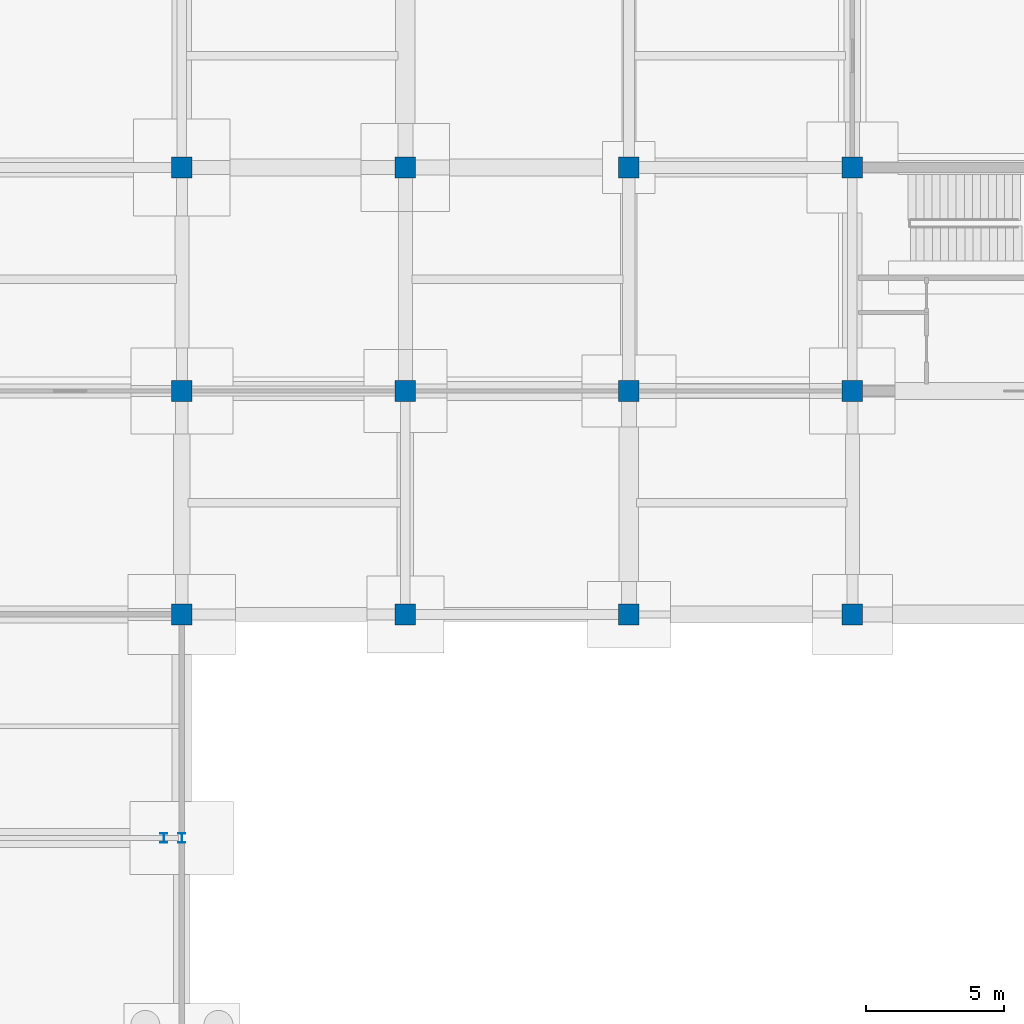
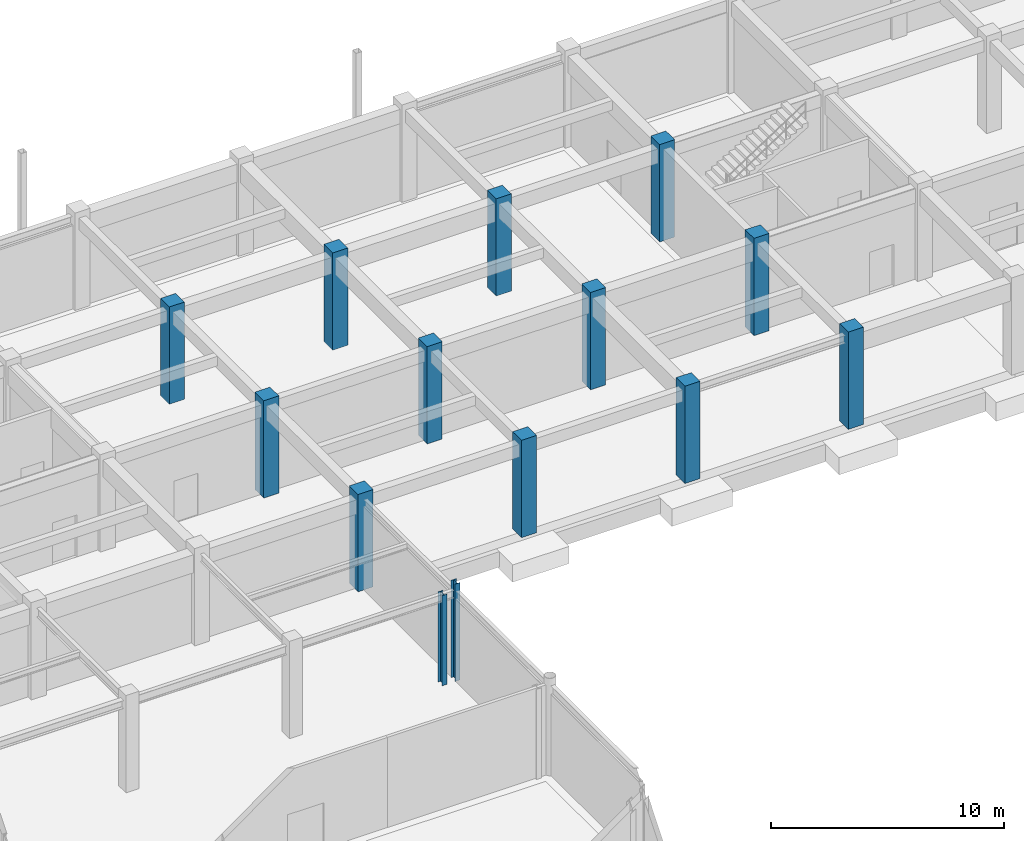
# One storey, part 21 of 67: 14 columns.
"""IFC4 building model written with IfcOpenShell, lengths in metres."""

from ifc_helpers import new_model, si_unit, direction, frame, origin, origin_2d, place, context, subcontext, project, spatial, rectangle, i_section, extrude, material, material_profile, profile_set, type_object, element, save


model = new_model("IFC4")

# Units and contexts
model_context = context("Model", 3, precision=1e-05, world=origin(), true_north=direction((0.0, 1.0)))
body_context = subcontext(model_context, "Body", "Model", "MODEL_VIEW")
ifc_project = project(units=[si_unit("LENGTHUNIT", "METRE"), si_unit("AREAUNIT", "SQUARE_METRE"), si_unit("VOLUMEUNIT", "CUBIC_METRE"), si_unit("PLANEANGLEUNIT", "RADIAN"), si_unit("MASSUNIT", "GRAM", prefix="KILO")], contexts=[model_context])

# Site, building, storey
site_placement = place(None, origin())
site = spatial("IfcSite", under=ifc_project, at=site_placement, CompositionType="ELEMENT")
building_placement = place(site_placement, origin())
building = spatial("IfcBuilding", under=site, at=building_placement, Name="Vaudrelin Polytechnic", CompositionType="ELEMENT")
storey_placement = place(building_placement, frame((0.0, 0.0, -5.10009765625)))
storey = spatial("IfcBuildingStorey", under=building, at=storey_placement, Name="B1", CompositionType="ELEMENT", Elevation=-5.10009765625)

# Columns
ifc_material_1 = material(Name="Concrete 50 MPa", Category="concrete")
ifc_material_profile_1 = material_profile(ifc_material_1, rectangle(XDim=0.75, YDim=0.75, at=origin_2d()), Name="RC750x750")
ifc_profile_set_1 = profile_set([ifc_material_profile_1], Name="Concrete 50 MPa")
column_type_1 = type_object("IfcColumnType", Name="COL-C-RC750", PredefinedType="COLUMN", material=ifc_profile_set_1)
for number, where, z_axis, x_axis, name in (
    (1, (32.39990234375, 97.199951171875, 0.0), (0.0, 0.0, 1.0), (1.0, 0.0, 0.0), "Column B1 5-13"),
    (2, (32.39990234375, 105.300048828125, 0.0), (0.0, 0.0, 1.0), (1.0, 0.0, 0.0), "Column B1 5-14"),
    (3, (32.39990234375, 113.39990234375, 0.0), (0.0, 0.0, 1.0), (1.0, 0.0, 0.0), "Column B1 5-15"),
    (4, (40.5, 97.199951171875, 0.0), (0.0, 0.0, 1.0), (1.0, 0.0, 0.0), "Column B1 6-13"),
    (5, (40.5, 105.300048828125, 0.0), (0.0, 0.0, 1.0), (1.0, 0.0, 0.0), "Column B1 6-14"),
    (6, (40.5, 113.39990234375, 0.0), (0.0, 0.0, 1.0), (1.0, 0.0, 0.0), "Column B1 6-15"),
    (7, (48.60009765625, 97.199951171875, 0.0), (0.0, 0.0, 1.0), (1.0, 0.0, 0.0), "Column B1 7-13"),
    (8, (48.60009765625, 105.300048828125, 0.0), (0.0, 0.0, 1.0), (1.0, 0.0, 0.0), "Column B1 7-14"),
    (9, (48.60009765625, 113.39990234375, 0.0), (0.0, 0.0, 1.0), (1.0, 0.0, 0.0), "Column B1 7-15"),
    (10, (56.699951171875, 97.199951171875, 0.0), (0.0, 0.0, 1.0), (1.0, 0.0, 0.0), "Column B1 8-13"),
    (11, (56.699951171875, 105.300048828125, 0.0), (0.0, 0.0, 1.0), (1.0, 0.0, 0.0), "Column B1 8-14"),
    (12, (56.699951171875, 113.39990234375, 0.0), (0.0, 0.0, 1.0), (1.0, 0.0, 0.0), "Column B1 8-15"),
):
    element("IfcColumn", number, at=place(storey_placement, frame(where, z_axis=z_axis, x_axis=x_axis)), inside=storey, type_object=column_type_1, Name=name, PredefinedType="COLUMN", context=body_context, shape_type="SweptSolid", body=[
        extrude(rectangle(XDim=0.75, YDim=0.75, at=origin_2d()), origin(), (0.0, 0.0, 1.0), 5.10009765625),
    ])
ifc_material_2 = material(Name="Steel CSA G40.21 350W", Category="steel")
ifc_material_profile_2 = material_profile(ifc_material_2, i_section(OverallWidth=0.25390625, OverallDepth=0.35302734375, WebThickness=0.009521484375, FlangeThickness=0.016357421875, FilletRadius=0.01611328125, at=origin_2d()), Name="W360x91")
ifc_profile_set_2 = profile_set([ifc_material_profile_2], Name="Steel CSA G40.21 350W")
column_type_2 = type_object("IfcColumnType", Name="COL-C-W360", PredefinedType="PILASTER", material=ifc_profile_set_2)
column_1_placement = place(storey_placement, frame((32.39990234375, 89.10009765625, 0.0), z_axis=(0.0, 0.0, 1.0), x_axis=(1.0, 0.0, 0.0)))
element("IfcColumn", 13, at=column_1_placement, inside=storey, type_object=column_type_2, Name="Column B1 5-12", PredefinedType="PILASTER", context=body_context, shape_type="SweptSolid", body=[
    extrude(i_section(OverallWidth=0.25390625, OverallDepth=0.35302734375, WebThickness=0.009521484375, FlangeThickness=0.016357421875, FilletRadius=0.01611328125, at=origin_2d()), origin(), (0.0, 0.0, 1.0), 5.10009765625),
])
column_2_placement = place(storey_placement, frame((31.75, 89.10009765625, 0.0), z_axis=(0.0, 0.0, 1.0), x_axis=(1.0, 0.0, 0.0)))
element("IfcColumn", 14, at=column_2_placement, inside=storey, type_object=column_type_2, Name="Basement crane support post EAST-11", PredefinedType="PILASTER", context=body_context, shape_type="SweptSolid", body=[
    extrude(i_section(OverallWidth=0.25390625, OverallDepth=0.35302734375, WebThickness=0.009521484375, FlangeThickness=0.016357421875, FilletRadius=0.01611328125, at=origin_2d()), origin(), (0.0, 0.0, 1.0), 4.72412109375),
])

save(model, "model.ifc")
